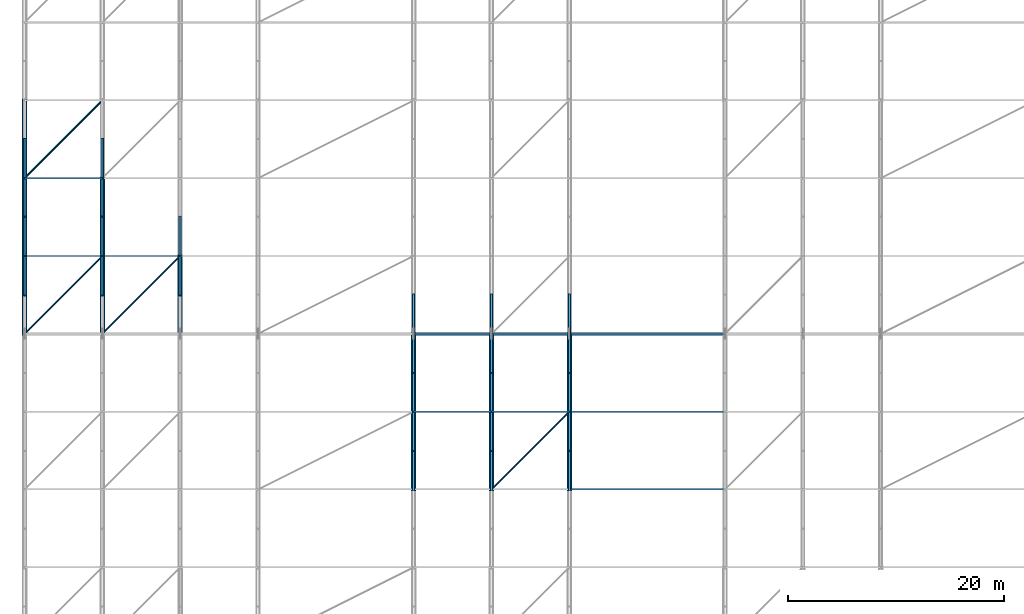
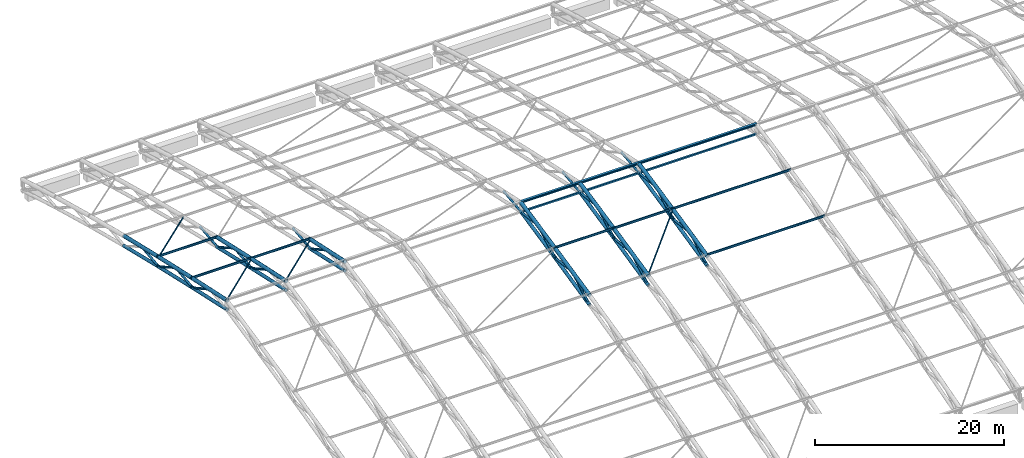
# One storey, part 42 of 193: 66 members.
"""IFC4 building model written with IfcOpenShell, lengths in metres."""

from ifc_helpers import new_model, si_unit, direction, frame, origin, origin_2d, place, context, subcontext, project, spatial, hollow_rectangle, hollow_circle, i_section, extrude, material, material_profile, profile_set, type_object, element, save


model = new_model("IFC4")

# Units and contexts
model_context = context("Model", 3, precision=1e-05, world=origin(), true_north=direction((0.0, 1.0)))
body_context = subcontext(model_context, "Body", "Model", "MODEL_VIEW")
ifc_project = project(units=[si_unit("LENGTHUNIT", "METRE"), si_unit("AREAUNIT", "SQUARE_METRE"), si_unit("VOLUMEUNIT", "CUBIC_METRE"), si_unit("PLANEANGLEUNIT", "RADIAN"), si_unit("MASSUNIT", "GRAM", prefix="KILO")], contexts=[model_context])

# Site, building, storey
site_placement = place(None, origin())
site = spatial("IfcSite", under=ifc_project, at=site_placement, CompositionType="ELEMENT")
building_placement = place(site_placement, origin())
building = spatial("IfcBuilding", under=site, at=building_placement, Name="Cendralis Lancet Convention Centre", CompositionType="ELEMENT")
storey_placement = place(building_placement, frame((0.0, 0.0, 10.199951171875)))
storey = spatial("IfcBuildingStorey", under=building, at=storey_placement, Name="L02", CompositionType="ELEMENT", Elevation=10.199951171875)

# Members
ifc_material = material(Name="Steel S355", Category="steel")
ifc_material_profile_1 = material_profile(ifc_material, hollow_circle(Radius=0.084228515625, WallThickness=0.008056640625, at=origin_2d()), Name="CHS 168.3x8.0")
ifc_profile_set_1 = profile_set([ifc_material_profile_1], Name="Steel S355")
member_type_1 = type_object("IfcMemberType", Name="STR-BR-RB01", PredefinedType="BRACE", material=ifc_profile_set_1)
member_1_placement = place(storey_placement, frame((0.0, 93.60009765625, 14.199951171875), z_axis=(0.699157645692, 0.699157645692, -0.149523151856), x_axis=(-0.707106781187, 0.707106781187, 0.0)))
element("IfcMember", 1, at=member_1_placement, inside=storey, type_object=member_type_1, Name="Roof Diaphragm Brace RB01 V1-00-06A", PredefinedType="BRACE", context=body_context, shape_type="SweptSolid", body=[
    extrude(hollow_circle(Radius=0.084228515625, WallThickness=0.008056640625, at=origin_2d()), origin(), (0.0, 0.0, 1.0), 10.298095703125),
])
member_2_placement = place(storey_placement, frame((0.0, 108.0, 11.056884765625), z_axis=(0.697591582707, 0.697591582707, -0.163499135997), x_axis=(-0.707106781187, 0.707106781187, 0.0)))
element("IfcMember", 2, at=member_2_placement, inside=storey, type_object=member_type_1, Name="Roof Diaphragm Brace RB01 V1-00-08A", PredefinedType="BRACE", context=body_context, shape_type="SweptSolid", body=[
    extrude(hollow_circle(Radius=0.084228515625, WallThickness=0.008056640625, at=origin_2d()), origin(), (0.0, 0.0, 1.0), 10.321044921875),
])
member_3_placement = place(storey_placement, frame((7.199951171875, 93.60009765625, 14.199951171875), z_axis=(0.699157645692, 0.699157645692, -0.149523151856), x_axis=(-0.707106781187, 0.707106781187, 0.0)))
element("IfcMember", 3, at=member_3_placement, inside=storey, type_object=member_type_1, Name="Roof Diaphragm Brace RB01 V1-01-06A", PredefinedType="BRACE", context=body_context, shape_type="SweptSolid", body=[
    extrude(hollow_circle(Radius=0.084228515625, WallThickness=0.008056640625, at=origin_2d()), origin(), (0.0, 0.0, 1.0), 10.298095703125),
])
member_4_placement = place(storey_placement, frame((43.199951171875, 79.199951171875, 11.056884765625), z_axis=(0.698500909513, 0.698500909513, 0.155540859), x_axis=(-0.707106781187, 0.707106781187, 0.0)))
element("IfcMember", 4, at=member_4_placement, inside=storey, type_object=member_type_1, Name="Roof Diaphragm Brace RB01 V1-05-04A", PredefinedType="BRACE", context=body_context, shape_type="SweptSolid", body=[
    extrude(hollow_circle(Radius=0.084228515625, WallThickness=0.008056640625, at=origin_2d()), origin(), (0.0, 0.0, 1.0), 10.3076171875),
])
ifc_material_profile_2 = material_profile(ifc_material, hollow_rectangle(XDim=0.199951171875, YDim=0.199951171875, WallThickness=0.010009765625, at=origin_2d()), Name="SHS 200x200x10.0")
ifc_profile_set_2 = profile_set([ifc_material_profile_2], Name="Steel S355")
member_type_2 = type_object("IfcMemberType", Name="STR-BR-ST01", PredefinedType="STRUT", material=ifc_profile_set_2)
for number, where, z_axis, x_axis, name in (
    (5, (36.0, 93.60009765625, 13.024169921875), (1.0, 0.0, 0.0), (0.0, 1.0, 0.0), "Arch Tie Strut ST01 V1-04-06"),
    (6, (43.199951171875, 93.60009765625, 13.024169921875), (1.0, 0.0, 0.0), (0.0, 1.0, 0.0), "Arch Tie Strut ST01 V1-05-06"),
):
    element("IfcMember", number, at=place(storey_placement, frame(where, z_axis=z_axis, x_axis=x_axis)), inside=storey, type_object=member_type_2, Name=name, PredefinedType="STRUT", context=body_context, shape_type="SweptSolid", body=[
        extrude(hollow_rectangle(XDim=0.199951171875, YDim=0.199951171875, WallThickness=0.010009765625, at=origin_2d()), origin(), (0.0, 0.0, 1.0), 7.199951171875),
    ])
member_5_placement = place(storey_placement, frame((50.39990234375, 93.60009765625, 13.024169921875), z_axis=(1.0, 0.0, 0.0), x_axis=(0.0, 1.0, 0.0)))
element("IfcMember", 7, at=member_5_placement, inside=storey, type_object=member_type_2, Name="Arch Tie Strut ST01 V1-06-06", PredefinedType="STRUT", context=body_context, shape_type="SweptSolid", body=[
    extrude(hollow_rectangle(XDim=0.199951171875, YDim=0.199951171875, WallThickness=0.010009765625, at=origin_2d()), origin(), (0.0, 0.0, 1.0), 14.400146484375),
])
ifc_material_profile_3 = material_profile(ifc_material, i_section(OverallWidth=0.135009765625, OverallDepth=0.27001953125, WebThickness=0.006591796875, FlangeThickness=0.01025390625, FilletRadius=0.014892578125, at=origin_2d()), Name="IPE 270")
ifc_profile_set_3 = profile_set([ifc_material_profile_3], Name="Steel S355")
member_type_3 = type_object("IfcMemberType", Name="STR-PR-PR01", PredefinedType="PURLIN", material=ifc_profile_set_3)
for number, where, z_axis, x_axis, name in (
    (8, (0.0, 100.800048828125, 12.775146484375), (1.0, 0.0, 0.0), (0.0, 1.0, 0.0), "Vault Roof Purlin PR01 V1-00-07"),
    (9, (0.0, 108.0, 11.171875), (1.0, 0.0, 0.0), (0.0, 1.0, 0.0), "Vault Roof Purlin PR01 V1-00-08"),
    (10, (7.199951171875, 100.800048828125, 12.775146484375), (1.0, 0.0, 0.0), (0.0, 1.0, 0.0), "Vault Roof Purlin PR01 V1-01-07"),
    (11, (36.0, 86.39990234375, 12.775146484375), (1.0, 0.0, 0.0), (0.0, 1.0, 0.0), "Vault Roof Purlin PR01 V1-04-05"),
    (12, (43.199951171875, 86.39990234375, 12.775146484375), (1.0, 0.0, 0.0), (0.0, 1.0, 0.0), "Vault Roof Purlin PR01 V1-05-05"),
):
    element("IfcMember", number, at=place(storey_placement, frame(where, z_axis=z_axis, x_axis=x_axis)), inside=storey, type_object=member_type_3, Name=name, PredefinedType="PURLIN", context=body_context, shape_type="SweptSolid", body=[
        extrude(i_section(OverallWidth=0.135009765625, OverallDepth=0.27001953125, WebThickness=0.006591796875, FlangeThickness=0.01025390625, FilletRadius=0.014892578125, at=origin_2d()), origin(), (0.0, 0.0, 1.0), 7.199951171875),
    ])
for number, where, z_axis, x_axis, name in (
    (13, (50.39990234375, 79.199951171875, 11.171875), (1.0, 0.0, 0.0), (0.0, 1.0, 0.0), "Vault Roof Purlin PR01 V1-06-04"),
    (14, (50.39990234375, 86.39990234375, 12.775146484375), (1.0, 0.0, 0.0), (0.0, 1.0, 0.0), "Vault Roof Purlin PR01 V1-06-05"),
):
    element("IfcMember", number, at=place(storey_placement, frame(where, z_axis=z_axis, x_axis=x_axis)), inside=storey, type_object=member_type_3, Name=name, PredefinedType="PURLIN", context=body_context, shape_type="SweptSolid", body=[
        extrude(i_section(OverallWidth=0.135009765625, OverallDepth=0.27001953125, WebThickness=0.006591796875, FlangeThickness=0.01025390625, FilletRadius=0.014892578125, at=origin_2d()), origin(), (0.0, 0.0, 1.0), 14.400146484375),
    ])
ifc_material_profile_4 = material_profile(ifc_material, i_section(OverallWidth=0.280029296875, OverallDepth=0.27001953125, WebThickness=0.008056640625, FlangeThickness=0.012939453125, FilletRadius=0.02392578125, at=origin_2d()), Name="HEA 280")
ifc_profile_set_4 = profile_set([ifc_material_profile_4], Name="Steel S355")
member_type_4 = type_object("IfcMemberType", Name="STR-PR-PR06", PredefinedType="PURLIN", material=ifc_profile_set_4)
for number, where, z_axis, x_axis, name in (
    (15, (36.0, 93.60009765625, 14.31494140625), (1.0, 0.0, 0.0), (0.0, 1.0, 0.0), "Vault Roof Purlin PR06 V1-04-06"),
    (16, (43.199951171875, 93.60009765625, 14.31494140625), (1.0, 0.0, 0.0), (0.0, 1.0, 0.0), "Vault Roof Purlin PR06 V1-05-06"),
):
    element("IfcMember", number, at=place(storey_placement, frame(where, z_axis=z_axis, x_axis=x_axis)), inside=storey, type_object=member_type_4, Name=name, PredefinedType="PURLIN", context=body_context, shape_type="SweptSolid", body=[
        extrude(i_section(OverallWidth=0.280029296875, OverallDepth=0.27001953125, WebThickness=0.008056640625, FlangeThickness=0.012939453125, FilletRadius=0.02392578125, at=origin_2d()), origin(), (0.0, 0.0, 1.0), 7.199951171875),
    ])
member_6_placement = place(storey_placement, frame((50.39990234375, 93.60009765625, 14.31494140625), z_axis=(1.0, 0.0, 0.0), x_axis=(0.0, 1.0, 0.0)))
element("IfcMember", 17, at=member_6_placement, inside=storey, type_object=member_type_4, Name="Vault Roof Purlin PR06 V1-06-06", PredefinedType="PURLIN", context=body_context, shape_type="SweptSolid", body=[
    extrude(i_section(OverallWidth=0.280029296875, OverallDepth=0.27001953125, WebThickness=0.008056640625, FlangeThickness=0.012939453125, FilletRadius=0.02392578125, at=origin_2d()), origin(), (0.0, 0.0, 1.0), 14.400146484375),
])
ifc_material_profile_5 = material_profile(ifc_material, hollow_circle(Radius=0.203125, WallThickness=0.01611328125, at=origin_2d()), Name="CHS 406.4x16.0")
ifc_profile_set_5 = profile_set([ifc_material_profile_5], Name="Steel S355")
member_type_5 = type_object("IfcMemberType", Name="STR-TR-BC01", PredefinedType="CHORD", material=ifc_profile_set_5)
member_7_placement = place(storey_placement, frame((0.0, 93.48291015625, 13.0498046875), z_axis=(0.0, 0.97683404926, -0.213998224775), x_axis=(-1.0, 0.0, 0.0)))
element("IfcMember", 18, at=member_7_placement, inside=storey, type_object=member_type_5, Name="ROOF TRUSS AT-V1-01 Bottom Chord 06", PredefinedType="CHORD", context=body_context, shape_type="SweptSolid", body=[
    extrude(hollow_circle(Radius=0.203125, WallThickness=0.01611328125, at=origin_2d()), origin(), (0.0, 0.0, 1.0), 7.610595703125),
])
member_8_placement = place(storey_placement, frame((0.0, 100.68310546875, 11.4736328125), z_axis=(0.0, 0.975002780506, -0.222192659658), x_axis=(-1.0, 0.0, 0.0)))
element("IfcMember", 19, at=member_8_placement, inside=storey, type_object=member_type_5, Name="ROOF TRUSS AT-V1-01 Bottom Chord 07", PredefinedType="CHORD", context=body_context, shape_type="SweptSolid", body=[
    extrude(hollow_circle(Radius=0.203125, WallThickness=0.01611328125, at=origin_2d()), origin(), (0.0, 0.0, 1.0), 7.62451171875),
])
member_9_placement = place(storey_placement, frame((0.0, 107.88330078125, 9.834228515625), z_axis=(0.0, 0.97248347478, -0.232971868002), x_axis=(-1.0, 0.0, 0.0)))
element("IfcMember", 20, at=member_9_placement, inside=storey, type_object=member_type_5, Name="ROOF TRUSS AT-V1-01 Bottom Chord 08", PredefinedType="CHORD", context=body_context, shape_type="SweptSolid", body=[
    extrude(hollow_circle(Radius=0.203125, WallThickness=0.01611328125, at=origin_2d()), origin(), (0.0, 0.0, 1.0), 7.643798828125),
])
ifc_material_profile_6 = material_profile(ifc_material, hollow_circle(Radius=0.203125, WallThickness=0.01611328125, at=origin_2d()), Name="CHS 406.4x16.0")
ifc_profile_set_6 = profile_set([ifc_material_profile_6], Name="Steel S355")
member_type_6 = type_object("IfcMemberType", Name="STR-TR-BC01-INT", PredefinedType="CHORD", material=ifc_profile_set_6)
member_10_placement = place(storey_placement, frame((7.199951171875, 93.48291015625, 13.0498046875), z_axis=(0.0, 0.97683404926, -0.213998224775), x_axis=(-1.0, 0.0, 0.0)))
element("IfcMember", 21, at=member_10_placement, inside=storey, type_object=member_type_6, Name="ROOF TRUSS AT-V1-02 Bottom Chord 06", PredefinedType="CHORD", context=body_context, shape_type="SweptSolid", body=[
    extrude(hollow_circle(Radius=0.203125, WallThickness=0.01611328125, at=origin_2d()), origin(), (0.0, 0.0, 1.0), 7.610595703125),
])
member_11_placement = place(storey_placement, frame((7.199951171875, 100.68310546875, 11.4736328125), z_axis=(0.0, 0.975002780506, -0.222192659658), x_axis=(-1.0, 0.0, 0.0)))
element("IfcMember", 22, at=member_11_placement, inside=storey, type_object=member_type_6, Name="ROOF TRUSS AT-V1-02 Bottom Chord 07", PredefinedType="CHORD", context=body_context, shape_type="SweptSolid", body=[
    extrude(hollow_circle(Radius=0.203125, WallThickness=0.01611328125, at=origin_2d()), origin(), (0.0, 0.0, 1.0), 7.62451171875),
])
member_12_placement = place(storey_placement, frame((14.39990234375, 93.48291015625, 13.0498046875), z_axis=(0.0, 0.97683404926, -0.213998224775), x_axis=(-1.0, 0.0, 0.0)))
element("IfcMember", 23, at=member_12_placement, inside=storey, type_object=member_type_6, Name="ROOF TRUSS AT-V1-03 Bottom Chord 06", PredefinedType="CHORD", context=body_context, shape_type="SweptSolid", body=[
    extrude(hollow_circle(Radius=0.203125, WallThickness=0.01611328125, at=origin_2d()), origin(), (0.0, 0.0, 1.0), 7.610595703125),
])
member_13_placement = place(storey_placement, frame((36.0, 79.0830078125, 9.779541015625), z_axis=(0.0, 0.975004361287, 0.222185722922), x_axis=(-1.0, 0.0, 0.0)))
element("IfcMember", 24, at=member_13_placement, inside=storey, type_object=member_type_6, Name="ROOF TRUSS AT-V1-05 Bottom Chord 04", PredefinedType="CHORD", context=body_context, shape_type="SweptSolid", body=[
    extrude(hollow_circle(Radius=0.203125, WallThickness=0.01611328125, at=origin_2d()), origin(), (0.0, 0.0, 1.0), 7.624755859375),
])
member_14_placement = place(storey_placement, frame((36.0, 86.28271484375, 11.421142578125), z_axis=(0.0, 0.976835518251, 0.213991519186), x_axis=(-1.0, 0.0, 0.0)))
element("IfcMember", 25, at=member_14_placement, inside=storey, type_object=member_type_6, Name="ROOF TRUSS AT-V1-05 Bottom Chord 05", PredefinedType="CHORD", context=body_context, shape_type="SweptSolid", body=[
    extrude(hollow_circle(Radius=0.203125, WallThickness=0.01611328125, at=origin_2d()), origin(), (0.0, 0.0, 1.0), 7.61083984375),
])
member_15_placement = place(storey_placement, frame((43.199951171875, 79.0830078125, 9.779541015625), z_axis=(0.0, 0.975004361287, 0.222185722922), x_axis=(-1.0, 0.0, 0.0)))
element("IfcMember", 26, at=member_15_placement, inside=storey, type_object=member_type_6, Name="ROOF TRUSS AT-V1-06 Bottom Chord 04", PredefinedType="CHORD", context=body_context, shape_type="SweptSolid", body=[
    extrude(hollow_circle(Radius=0.203125, WallThickness=0.01611328125, at=origin_2d()), origin(), (0.0, 0.0, 1.0), 7.624755859375),
])
member_16_placement = place(storey_placement, frame((43.199951171875, 86.28271484375, 11.421142578125), z_axis=(0.0, 0.976835518251, 0.213991519186), x_axis=(-1.0, 0.0, 0.0)))
element("IfcMember", 27, at=member_16_placement, inside=storey, type_object=member_type_6, Name="ROOF TRUSS AT-V1-06 Bottom Chord 05", PredefinedType="CHORD", context=body_context, shape_type="SweptSolid", body=[
    extrude(hollow_circle(Radius=0.203125, WallThickness=0.01611328125, at=origin_2d()), origin(), (0.0, 0.0, 1.0), 7.61083984375),
])
member_17_placement = place(storey_placement, frame((50.39990234375, 79.0830078125, 9.779541015625), z_axis=(0.0, 0.975004361287, 0.222185722922), x_axis=(-1.0, 0.0, 0.0)))
element("IfcMember", 28, at=member_17_placement, inside=storey, type_object=member_type_6, Name="ROOF TRUSS AT-V1-07 Bottom Chord 04", PredefinedType="CHORD", context=body_context, shape_type="SweptSolid", body=[
    extrude(hollow_circle(Radius=0.203125, WallThickness=0.01611328125, at=origin_2d()), origin(), (0.0, 0.0, 1.0), 7.624755859375),
])
member_18_placement = place(storey_placement, frame((50.39990234375, 86.28271484375, 11.421142578125), z_axis=(0.0, 0.976835518251, 0.213991519186), x_axis=(-1.0, 0.0, 0.0)))
element("IfcMember", 29, at=member_18_placement, inside=storey, type_object=member_type_6, Name="ROOF TRUSS AT-V1-07 Bottom Chord 05", PredefinedType="CHORD", context=body_context, shape_type="SweptSolid", body=[
    extrude(hollow_circle(Radius=0.203125, WallThickness=0.01611328125, at=origin_2d()), origin(), (0.0, 0.0, 1.0), 7.61083984375),
])
ifc_material_profile_7 = material_profile(ifc_material, hollow_circle(Radius=0.228515625, WallThickness=0.02001953125, at=origin_2d()), Name="CHS 457.0x20.0")
ifc_profile_set_7 = profile_set([ifc_material_profile_7], Name="Steel S355")
member_type_7 = type_object("IfcMemberType", Name="STR-TR-TC01B", PredefinedType="CHORD", material=ifc_profile_set_7)
member_19_placement = place(storey_placement, frame((0.0, 93.482666015625, 14.22509765625), z_axis=(0.0, 0.97788410853, -0.209147484528), x_axis=(-1.0, 0.0, 0.0)))
element("IfcMember", 30, at=member_19_placement, inside=storey, type_object=member_type_7, Name="ROOF TRUSS AT-V1-01 Top Chord 06", PredefinedType="CHORD", context=body_context, shape_type="SweptSolid", body=[
    extrude(hollow_circle(Radius=0.228515625, WallThickness=0.02001953125, at=origin_2d()), origin(), (0.0, 0.0, 1.0), 7.602783203125),
])
member_20_placement = place(storey_placement, frame((0.0, 100.682861328125, 12.686279296875), z_axis=(0.0, 0.976091178672, -0.217361475241), x_axis=(-1.0, 0.0, 0.0)))
element("IfcMember", 31, at=member_20_placement, inside=storey, type_object=member_type_7, Name="ROOF TRUSS AT-V1-01 Top Chord 07", PredefinedType="CHORD", context=body_context, shape_type="SweptSolid", body=[
    extrude(hollow_circle(Radius=0.228515625, WallThickness=0.02001953125, at=origin_2d()), origin(), (0.0, 0.0, 1.0), 7.616455078125),
])
member_21_placement = place(storey_placement, frame((0.0, 107.88330078125, 11.084228515625), z_axis=(0.0, 0.973618086595, -0.22818374494), x_axis=(-1.0, 0.0, 0.0)))
element("IfcMember", 32, at=member_21_placement, inside=storey, type_object=member_type_7, Name="ROOF TRUSS AT-V1-01 Top Chord 08", PredefinedType="CHORD", context=body_context, shape_type="SweptSolid", body=[
    extrude(hollow_circle(Radius=0.228515625, WallThickness=0.02001953125, at=origin_2d()), origin(), (0.0, 0.0, 1.0), 7.635009765625),
])
ifc_material_profile_8 = material_profile(ifc_material, hollow_circle(Radius=0.228515625, WallThickness=0.02001953125, at=origin_2d()), Name="CHS 457.0x20.0")
ifc_profile_set_8 = profile_set([ifc_material_profile_8], Name="Steel S355")
member_type_8 = type_object("IfcMemberType", Name="STR-TR-TC01B-INT", PredefinedType="CHORD", material=ifc_profile_set_8)
member_22_placement = place(storey_placement, frame((7.199951171875, 93.482666015625, 14.22509765625), z_axis=(0.0, 0.97788410853, -0.209147484528), x_axis=(-1.0, 0.0, 0.0)))
element("IfcMember", 33, at=member_22_placement, inside=storey, type_object=member_type_8, Name="ROOF TRUSS AT-V1-02 Top Chord 06", PredefinedType="CHORD", context=body_context, shape_type="SweptSolid", body=[
    extrude(hollow_circle(Radius=0.228515625, WallThickness=0.02001953125, at=origin_2d()), origin(), (0.0, 0.0, 1.0), 7.602783203125),
])
member_23_placement = place(storey_placement, frame((7.199951171875, 100.682861328125, 12.686279296875), z_axis=(0.0, 0.976091178672, -0.217361475241), x_axis=(-1.0, 0.0, 0.0)))
element("IfcMember", 34, at=member_23_placement, inside=storey, type_object=member_type_8, Name="ROOF TRUSS AT-V1-02 Top Chord 07", PredefinedType="CHORD", context=body_context, shape_type="SweptSolid", body=[
    extrude(hollow_circle(Radius=0.228515625, WallThickness=0.02001953125, at=origin_2d()), origin(), (0.0, 0.0, 1.0), 7.616455078125),
])
member_24_placement = place(storey_placement, frame((14.39990234375, 93.482666015625, 14.22509765625), z_axis=(0.0, 0.97788410853, -0.209147484528), x_axis=(-1.0, 0.0, 0.0)))
element("IfcMember", 35, at=member_24_placement, inside=storey, type_object=member_type_8, Name="ROOF TRUSS AT-V1-03 Top Chord 06", PredefinedType="CHORD", context=body_context, shape_type="SweptSolid", body=[
    extrude(hollow_circle(Radius=0.228515625, WallThickness=0.02001953125, at=origin_2d()), origin(), (0.0, 0.0, 1.0), 7.602783203125),
])
member_25_placement = place(storey_placement, frame((36.0, 79.0830078125, 11.03076171875), z_axis=(0.0, 0.976089664154, 0.217368276277), x_axis=(-1.0, 0.0, 0.0)))
element("IfcMember", 36, at=member_25_placement, inside=storey, type_object=member_type_8, Name="ROOF TRUSS AT-V1-05 Top Chord 04", PredefinedType="CHORD", context=body_context, shape_type="SweptSolid", body=[
    extrude(hollow_circle(Radius=0.228515625, WallThickness=0.02001953125, at=origin_2d()), origin(), (0.0, 0.0, 1.0), 7.6162109375),
])
member_26_placement = place(storey_placement, frame((36.0, 86.28271484375, 12.635009765625), z_axis=(0.0, 0.97788410853, 0.209147484528), x_axis=(-1.0, 0.0, 0.0)))
element("IfcMember", 37, at=member_26_placement, inside=storey, type_object=member_type_8, Name="ROOF TRUSS AT-V1-05 Top Chord 05", PredefinedType="CHORD", context=body_context, shape_type="SweptSolid", body=[
    extrude(hollow_circle(Radius=0.228515625, WallThickness=0.02001953125, at=origin_2d()), origin(), (0.0, 0.0, 1.0), 7.602783203125),
])
member_27_placement = place(storey_placement, frame((43.199951171875, 79.0830078125, 11.03076171875), z_axis=(0.0, 0.976089664154, 0.217368276277), x_axis=(-1.0, 0.0, 0.0)))
element("IfcMember", 38, at=member_27_placement, inside=storey, type_object=member_type_8, Name="ROOF TRUSS AT-V1-06 Top Chord 04", PredefinedType="CHORD", context=body_context, shape_type="SweptSolid", body=[
    extrude(hollow_circle(Radius=0.228515625, WallThickness=0.02001953125, at=origin_2d()), origin(), (0.0, 0.0, 1.0), 7.6162109375),
])
member_28_placement = place(storey_placement, frame((43.199951171875, 86.28271484375, 12.635009765625), z_axis=(0.0, 0.97788410853, 0.209147484528), x_axis=(-1.0, 0.0, 0.0)))
element("IfcMember", 39, at=member_28_placement, inside=storey, type_object=member_type_8, Name="ROOF TRUSS AT-V1-06 Top Chord 05", PredefinedType="CHORD", context=body_context, shape_type="SweptSolid", body=[
    extrude(hollow_circle(Radius=0.228515625, WallThickness=0.02001953125, at=origin_2d()), origin(), (0.0, 0.0, 1.0), 7.602783203125),
])
member_29_placement = place(storey_placement, frame((50.39990234375, 79.0830078125, 11.03076171875), z_axis=(0.0, 0.976089664154, 0.217368276277), x_axis=(-1.0, 0.0, 0.0)))
element("IfcMember", 40, at=member_29_placement, inside=storey, type_object=member_type_8, Name="ROOF TRUSS AT-V1-07 Top Chord 04", PredefinedType="CHORD", context=body_context, shape_type="SweptSolid", body=[
    extrude(hollow_circle(Radius=0.228515625, WallThickness=0.02001953125, at=origin_2d()), origin(), (0.0, 0.0, 1.0), 7.6162109375),
])
member_30_placement = place(storey_placement, frame((50.39990234375, 86.28271484375, 12.635009765625), z_axis=(0.0, 0.97788410853, 0.209147484528), x_axis=(-1.0, 0.0, 0.0)))
element("IfcMember", 41, at=member_30_placement, inside=storey, type_object=member_type_8, Name="ROOF TRUSS AT-V1-07 Top Chord 05", PredefinedType="CHORD", context=body_context, shape_type="SweptSolid", body=[
    extrude(hollow_circle(Radius=0.228515625, WallThickness=0.02001953125, at=origin_2d()), origin(), (0.0, 0.0, 1.0), 7.602783203125),
])
ifc_material_profile_9 = material_profile(ifc_material, hollow_circle(Radius=0.136474609375, WallThickness=0.012451171875, at=origin_2d()), Name="CHS 273.0x12.5")
ifc_profile_set_9 = profile_set([ifc_material_profile_9], Name="Steel S355")
member_type_9 = type_object("IfcMemberType", Name="STR-TR-WD01B", PredefinedType="BRACE", material=ifc_profile_set_9)
member_31_placement = place(storey_placement, frame((0.0, 97.1123046875, 13.478271484375), z_axis=(0.0, 0.875885645672, -0.482518741301), x_axis=(-1.0, 0.0, 0.0)))
element("IfcMember", 42, at=member_31_placement, inside=storey, type_object=member_type_9, Name="ROOF TRUSS AT-V1-01 Warren Web 06-1", PredefinedType="BRACE", context=body_context, shape_type="SweptSolid", body=[
    extrude(hollow_circle(Radius=0.136474609375, WallThickness=0.012451171875, at=origin_2d()), origin(), (0.0, 0.0, 1.0), 4.310302734375),
])
member_32_placement = place(storey_placement, frame((0.0, 100.70068359375, 11.435546875), z_axis=(0.0, 0.993527526481, 0.113591611157), x_axis=(-1.0, 0.0, 0.0)))
element("IfcMember", 43, at=member_32_placement, inside=storey, type_object=member_type_9, Name="ROOF TRUSS AT-V1-01 Warren Web 07-0", PredefinedType="BRACE", context=body_context, shape_type="SweptSolid", body=[
    extrude(hollow_circle(Radius=0.136474609375, WallThickness=0.012451171875, at=origin_2d()), origin(), (0.0, 0.0, 1.0), 3.823486328125),
])
member_33_placement = place(storey_placement, frame((0.0, 104.31298828125, 11.907958984375), z_axis=(0.0, 0.86877872096, -0.495200498795), x_axis=(-1.0, 0.0, 0.0)))
element("IfcMember", 44, at=member_33_placement, inside=storey, type_object=member_type_9, Name="ROOF TRUSS AT-V1-01 Warren Web 07-1", PredefinedType="BRACE", context=body_context, shape_type="SweptSolid", body=[
    extrude(hollow_circle(Radius=0.136474609375, WallThickness=0.012451171875, at=origin_2d()), origin(), (0.0, 0.0, 1.0), 4.343994140625),
])
member_34_placement = place(storey_placement, frame((0.0, 107.900634765625, 9.795166015625), z_axis=(0.0, 0.993677994269, 0.112267732257), x_axis=(-1.0, 0.0, 0.0)))
element("IfcMember", 45, at=member_34_placement, inside=storey, type_object=member_type_9, Name="ROOF TRUSS AT-V1-01 Warren Web 08-0", PredefinedType="BRACE", context=body_context, shape_type="SweptSolid", body=[
    extrude(hollow_circle(Radius=0.136474609375, WallThickness=0.012451171875, at=origin_2d()), origin(), (0.0, 0.0, 1.0), 3.822998046875),
])
ifc_material_profile_10 = material_profile(ifc_material, hollow_circle(Radius=0.136474609375, WallThickness=0.012451171875, at=origin_2d()), Name="CHS 273.0x12.5")
ifc_profile_set_10 = profile_set([ifc_material_profile_10], Name="Steel S355")
member_type_10 = type_object("IfcMemberType", Name="STR-TR-WD01B-INT", PredefinedType="BRACE", material=ifc_profile_set_10)
member_35_placement = place(storey_placement, frame((7.199951171875, 97.1123046875, 13.478271484375), z_axis=(0.0, 0.875885645672, -0.482518741301), x_axis=(-1.0, 0.0, 0.0)))
element("IfcMember", 46, at=member_35_placement, inside=storey, type_object=member_type_10, Name="ROOF TRUSS AT-V1-02 Warren Web 06-1", PredefinedType="BRACE", context=body_context, shape_type="SweptSolid", body=[
    extrude(hollow_circle(Radius=0.136474609375, WallThickness=0.012451171875, at=origin_2d()), origin(), (0.0, 0.0, 1.0), 4.310302734375),
])
member_36_placement = place(storey_placement, frame((7.199951171875, 100.70068359375, 11.435546875), z_axis=(0.0, 0.993527526481, 0.113591611157), x_axis=(-1.0, 0.0, 0.0)))
element("IfcMember", 47, at=member_36_placement, inside=storey, type_object=member_type_10, Name="ROOF TRUSS AT-V1-02 Warren Web 07-0", PredefinedType="BRACE", context=body_context, shape_type="SweptSolid", body=[
    extrude(hollow_circle(Radius=0.136474609375, WallThickness=0.012451171875, at=origin_2d()), origin(), (0.0, 0.0, 1.0), 3.823486328125),
])
member_37_placement = place(storey_placement, frame((7.199951171875, 104.31298828125, 11.907958984375), z_axis=(0.0, 0.86877872096, -0.495200498795), x_axis=(-1.0, 0.0, 0.0)))
element("IfcMember", 48, at=member_37_placement, inside=storey, type_object=member_type_10, Name="ROOF TRUSS AT-V1-02 Warren Web 07-1", PredefinedType="BRACE", context=body_context, shape_type="SweptSolid", body=[
    extrude(hollow_circle(Radius=0.136474609375, WallThickness=0.012451171875, at=origin_2d()), origin(), (0.0, 0.0, 1.0), 4.343994140625),
])
member_38_placement = place(storey_placement, frame((7.199951171875, 107.900634765625, 9.795166015625), z_axis=(0.0, 0.993677994269, 0.112267732257), x_axis=(-1.0, 0.0, 0.0)))
element("IfcMember", 49, at=member_38_placement, inside=storey, type_object=member_type_10, Name="ROOF TRUSS AT-V1-02 Warren Web 08-0", PredefinedType="BRACE", context=body_context, shape_type="SweptSolid", body=[
    extrude(hollow_circle(Radius=0.136474609375, WallThickness=0.012451171875, at=origin_2d()), origin(), (0.0, 0.0, 1.0), 3.822998046875),
])
member_39_placement = place(storey_placement, frame((14.39990234375, 97.1123046875, 13.478271484375), z_axis=(0.0, 0.875885645672, -0.482518741301), x_axis=(-1.0, 0.0, 0.0)))
element("IfcMember", 50, at=member_39_placement, inside=storey, type_object=member_type_10, Name="ROOF TRUSS AT-V1-03 Warren Web 06-1", PredefinedType="BRACE", context=body_context, shape_type="SweptSolid", body=[
    extrude(hollow_circle(Radius=0.136474609375, WallThickness=0.012451171875, at=origin_2d()), origin(), (0.0, 0.0, 1.0), 4.310302734375),
])
member_40_placement = place(storey_placement, frame((14.39990234375, 100.70068359375, 11.435546875), z_axis=(0.0, 0.993527526481, 0.113591611157), x_axis=(-1.0, 0.0, 0.0)))
element("IfcMember", 51, at=member_40_placement, inside=storey, type_object=member_type_10, Name="ROOF TRUSS AT-V1-03 Warren Web 07-0", PredefinedType="BRACE", context=body_context, shape_type="SweptSolid", body=[
    extrude(hollow_circle(Radius=0.136474609375, WallThickness=0.012451171875, at=origin_2d()), origin(), (0.0, 0.0, 1.0), 3.823486328125),
])
member_41_placement = place(storey_placement, frame((36.0, 79.113037109375, 9.7568359375), z_axis=(0.0, 0.86877872096, 0.495200498795), x_axis=(-1.0, 0.0, 0.0)))
element("IfcMember", 52, at=member_41_placement, inside=storey, type_object=member_type_10, Name="ROOF TRUSS AT-V1-05 Warren Web 04-0", PredefinedType="BRACE", context=body_context, shape_type="SweptSolid", body=[
    extrude(hollow_circle(Radius=0.136474609375, WallThickness=0.012451171875, at=origin_2d()), origin(), (0.0, 0.0, 1.0), 4.343994140625),
])
member_42_placement = place(storey_placement, frame((36.0, 82.70068359375, 11.869873046875), z_axis=(0.0, 0.993527526481, -0.113591611157), x_axis=(-1.0, 0.0, 0.0)))
element("IfcMember", 53, at=member_42_placement, inside=storey, type_object=member_type_10, Name="ROOF TRUSS AT-V1-05 Warren Web 04-1", PredefinedType="BRACE", context=body_context, shape_type="SweptSolid", body=[
    extrude(hollow_circle(Radius=0.136474609375, WallThickness=0.012451171875, at=origin_2d()), origin(), (0.0, 0.0, 1.0), 3.823486328125),
])
member_43_placement = place(storey_placement, frame((36.0, 86.3125, 11.3984375), z_axis=(0.0, 0.875872457449, 0.48254268027), x_axis=(-1.0, 0.0, 0.0)))
element("IfcMember", 54, at=member_43_placement, inside=storey, type_object=member_type_10, Name="ROOF TRUSS AT-V1-05 Warren Web 05-0", PredefinedType="BRACE", context=body_context, shape_type="SweptSolid", body=[
    extrude(hollow_circle(Radius=0.136474609375, WallThickness=0.012451171875, at=origin_2d()), origin(), (0.0, 0.0, 1.0), 4.31005859375),
])
for number, where, z_axis, x_axis, name in (
    (55, (36.0, 89.900634765625, 13.441162109375), (0.0, 0.993706459911, -0.112015496831), (-1.0, 0.0, 0.0), "ROOF TRUSS AT-V1-05 Warren Web 05-1"),
    (56, (36.0, 93.50048828125, 13.012939453125), (0.0, 0.993706459911, 0.112015496831), (-1.0, 0.0, 0.0), "ROOF TRUSS AT-V1-05 Warren Web 06-0"),
):
    element("IfcMember", number, at=place(storey_placement, frame(where, z_axis=z_axis, x_axis=x_axis)), inside=storey, type_object=member_type_10, Name=name, PredefinedType="BRACE", context=body_context, shape_type="SweptSolid", body=[
        extrude(hollow_circle(Radius=0.136474609375, WallThickness=0.012451171875, at=origin_2d()), origin(), (0.0, 0.0, 1.0), 3.822998046875),
    ])
member_44_placement = place(storey_placement, frame((43.199951171875, 79.113037109375, 9.7568359375), z_axis=(0.0, 0.86877872096, 0.495200498795), x_axis=(-1.0, 0.0, 0.0)))
element("IfcMember", 57, at=member_44_placement, inside=storey, type_object=member_type_10, Name="ROOF TRUSS AT-V1-06 Warren Web 04-0", PredefinedType="BRACE", context=body_context, shape_type="SweptSolid", body=[
    extrude(hollow_circle(Radius=0.136474609375, WallThickness=0.012451171875, at=origin_2d()), origin(), (0.0, 0.0, 1.0), 4.343994140625),
])
member_45_placement = place(storey_placement, frame((43.199951171875, 82.70068359375, 11.869873046875), z_axis=(0.0, 0.993527526481, -0.113591611157), x_axis=(-1.0, 0.0, 0.0)))
element("IfcMember", 58, at=member_45_placement, inside=storey, type_object=member_type_10, Name="ROOF TRUSS AT-V1-06 Warren Web 04-1", PredefinedType="BRACE", context=body_context, shape_type="SweptSolid", body=[
    extrude(hollow_circle(Radius=0.136474609375, WallThickness=0.012451171875, at=origin_2d()), origin(), (0.0, 0.0, 1.0), 3.823486328125),
])
member_46_placement = place(storey_placement, frame((43.199951171875, 86.3125, 11.3984375), z_axis=(0.0, 0.875872457449, 0.48254268027), x_axis=(-1.0, 0.0, 0.0)))
element("IfcMember", 59, at=member_46_placement, inside=storey, type_object=member_type_10, Name="ROOF TRUSS AT-V1-06 Warren Web 05-0", PredefinedType="BRACE", context=body_context, shape_type="SweptSolid", body=[
    extrude(hollow_circle(Radius=0.136474609375, WallThickness=0.012451171875, at=origin_2d()), origin(), (0.0, 0.0, 1.0), 4.31005859375),
])
for number, where, z_axis, x_axis, name in (
    (60, (43.199951171875, 89.900634765625, 13.441162109375), (0.0, 0.993706459911, -0.112015496831), (-1.0, 0.0, 0.0), "ROOF TRUSS AT-V1-06 Warren Web 05-1"),
    (61, (43.199951171875, 93.50048828125, 13.012939453125), (0.0, 0.993706459911, 0.112015496831), (-1.0, 0.0, 0.0), "ROOF TRUSS AT-V1-06 Warren Web 06-0"),
):
    element("IfcMember", number, at=place(storey_placement, frame(where, z_axis=z_axis, x_axis=x_axis)), inside=storey, type_object=member_type_10, Name=name, PredefinedType="BRACE", context=body_context, shape_type="SweptSolid", body=[
        extrude(hollow_circle(Radius=0.136474609375, WallThickness=0.012451171875, at=origin_2d()), origin(), (0.0, 0.0, 1.0), 3.822998046875),
    ])
member_47_placement = place(storey_placement, frame((50.39990234375, 79.113037109375, 9.7568359375), z_axis=(0.0, 0.86877872096, 0.495200498795), x_axis=(-1.0, 0.0, 0.0)))
element("IfcMember", 62, at=member_47_placement, inside=storey, type_object=member_type_10, Name="ROOF TRUSS AT-V1-07 Warren Web 04-0", PredefinedType="BRACE", context=body_context, shape_type="SweptSolid", body=[
    extrude(hollow_circle(Radius=0.136474609375, WallThickness=0.012451171875, at=origin_2d()), origin(), (0.0, 0.0, 1.0), 4.343994140625),
])
member_48_placement = place(storey_placement, frame((50.39990234375, 82.70068359375, 11.869873046875), z_axis=(0.0, 0.993527526481, -0.113591611157), x_axis=(-1.0, 0.0, 0.0)))
element("IfcMember", 63, at=member_48_placement, inside=storey, type_object=member_type_10, Name="ROOF TRUSS AT-V1-07 Warren Web 04-1", PredefinedType="BRACE", context=body_context, shape_type="SweptSolid", body=[
    extrude(hollow_circle(Radius=0.136474609375, WallThickness=0.012451171875, at=origin_2d()), origin(), (0.0, 0.0, 1.0), 3.823486328125),
])
member_49_placement = place(storey_placement, frame((50.39990234375, 86.3125, 11.3984375), z_axis=(0.0, 0.875872457449, 0.48254268027), x_axis=(-1.0, 0.0, 0.0)))
element("IfcMember", 64, at=member_49_placement, inside=storey, type_object=member_type_10, Name="ROOF TRUSS AT-V1-07 Warren Web 05-0", PredefinedType="BRACE", context=body_context, shape_type="SweptSolid", body=[
    extrude(hollow_circle(Radius=0.136474609375, WallThickness=0.012451171875, at=origin_2d()), origin(), (0.0, 0.0, 1.0), 4.31005859375),
])
for number, where, z_axis, x_axis, name in (
    (65, (50.39990234375, 89.900634765625, 13.441162109375), (0.0, 0.993706459911, -0.112015496831), (-1.0, 0.0, 0.0), "ROOF TRUSS AT-V1-07 Warren Web 05-1"),
    (66, (50.39990234375, 93.50048828125, 13.012939453125), (0.0, 0.993706459911, 0.112015496831), (-1.0, 0.0, 0.0), "ROOF TRUSS AT-V1-07 Warren Web 06-0"),
):
    element("IfcMember", number, at=place(storey_placement, frame(where, z_axis=z_axis, x_axis=x_axis)), inside=storey, type_object=member_type_10, Name=name, PredefinedType="BRACE", context=body_context, shape_type="SweptSolid", body=[
        extrude(hollow_circle(Radius=0.136474609375, WallThickness=0.012451171875, at=origin_2d()), origin(), (0.0, 0.0, 1.0), 3.822998046875),
    ])

save(model, "model.ifc")
